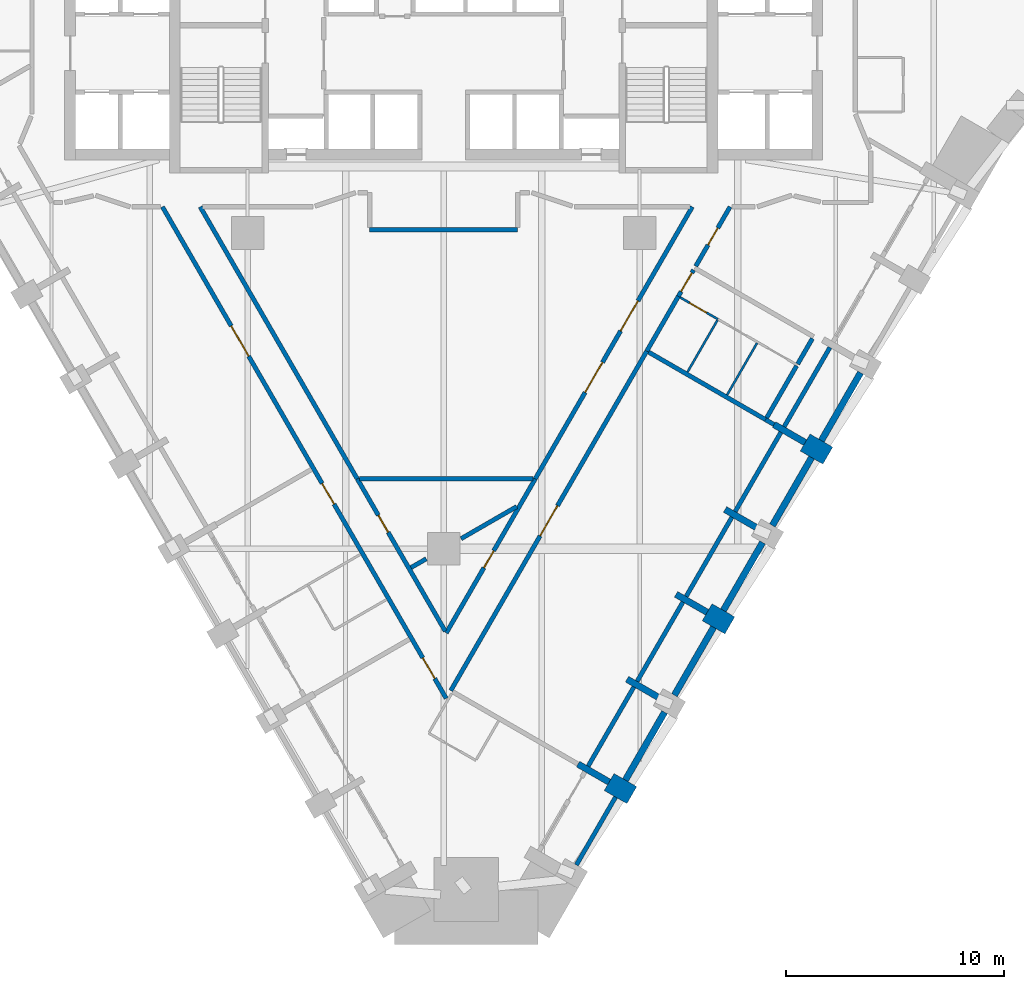
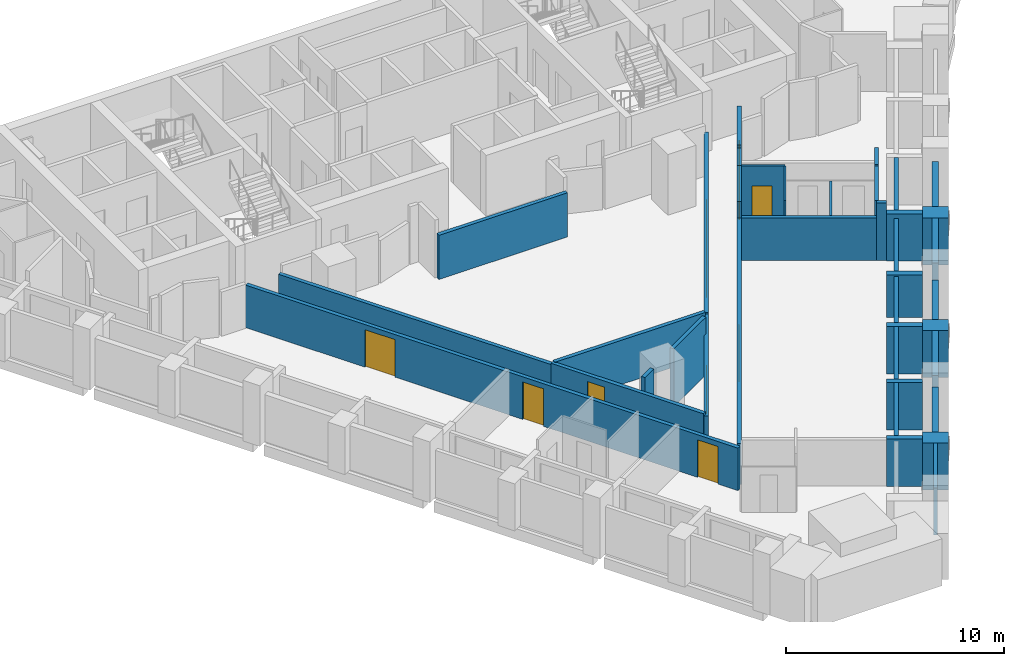
# One storey, part 4 of 10: 39 walls, 11 doors, 11 openings.
"""IFC4 building model written with IfcOpenShell, lengths in metres."""

from ifc_helpers import new_model, si_unit, direction, frame, frame_2d, origin, place, context, subcontext, project, spatial, rectangle, extrude, material, layer, layer_set, type_object, element, fill, save


model = new_model("IFC4")

# Units and contexts
model_context = context("Model", 3, precision=1e-05, world=origin(), true_north=direction((0.0, 1.0)))
body_context = subcontext(model_context, "Body", "Model", "MODEL_VIEW")
ifc_project = project(units=[si_unit("LENGTHUNIT", "METRE"), si_unit("AREAUNIT", "SQUARE_METRE"), si_unit("VOLUMEUNIT", "CUBIC_METRE"), si_unit("PLANEANGLEUNIT", "RADIAN"), si_unit("MASSUNIT", "GRAM", prefix="KILO")], contexts=[model_context])

# Site, building, storey
site_placement = place(None, origin())
site = spatial("IfcSite", under=ifc_project, at=site_placement, CompositionType="ELEMENT")
building_placement = place(site_placement, origin())
building = spatial("IfcBuilding", under=site, at=building_placement, Name="Calabash Gate Tower", CompositionType="ELEMENT")
storey_placement = place(building_placement, frame((0.0, 0.0, 108.800048828125)))
storey = spatial("IfcBuildingStorey", under=building, at=storey_placement, Name="L24", CompositionType="ELEMENT", Elevation=108.800048828125)

# Walls
ifc_material_1 = material(Name="Terracotta brick masonry, exposed face", Category="masonry")
ifc_layer_1 = layer(ifc_material_1, 1.199951171875)
ifc_layer_set_1 = layer_set([ifc_layer_1], Name="Brick end wall 1200")
wall_type_1 = type_object("IfcWallType", Name="Brick end wall 1200", PredefinedType="SOLIDWALL", material=ifc_layer_set_1)
for number, where, z_axis, x_axis, name in (
    (1, (7.59765625, -22.71240234375, 0.0), (0.0, 0.0, 1.0), (0.866043267704, -0.499969057507, 0.0), "Brick pier S06 SE2.1"),
    (2, (13.13671875, -15.51806640625, 0.0), (0.0, 0.0, 1.0), (-0.866043267704, 0.499969057507, 0.0), "Brick pier S06 SE2.3"),
):
    element("IfcWall", number, at=place(storey_placement, frame(where, z_axis=z_axis, x_axis=x_axis)), inside=storey, type_object=wall_type_1, Name=name, PredefinedType="SOLIDWALL", context=body_context, shape_type="SweptSolid", body=[
        extrude(rectangle(XDim=1.19970703125, YDim=0.89990234375, at=frame_2d((0.599853515625, 0.0))), origin(), (0.0, 0.0, 1.0), 2.6298828125),
    ])
wall_1_placement = place(storey_placement, frame((17.63671875, -7.723876953125, 0.0), z_axis=(0.0, 0.0, 1.0), x_axis=(-0.865955154139, 0.50012165622, 0.0)))
element("IfcWall", 3, at=wall_1_placement, inside=storey, type_object=wall_type_1, Name="Brick pier S06 SE2.5", PredefinedType="SOLIDWALL", context=body_context, shape_type="SweptSolid", body=[
    extrude(rectangle(XDim=1.199951171875, YDim=0.89990234375, at=frame_2d((0.60009765625, 0.0))), origin(), (0.0, 0.0, 1.0), 2.6298828125),
])
ifc_material_2 = material(Name="Terracotta brick masonry, exposed face", Category="masonry")
ifc_layer_2 = layer(ifc_material_2, 0.300048828125)
ifc_layer_set_2 = layer_set([ifc_layer_2], Name="Brick infill panel wall 300")
wall_type_2 = type_object("IfcWallType", Name="Brick infill panel wall 300", PredefinedType="SOLIDWALL", material=ifc_layer_set_2)
wall_2_placement = place(storey_placement, frame((8.342041015625, -22.62255859375, 0.0), z_axis=(0.0, 0.0, 1.0), x_axis=(0.500012057535, 0.866018442252, 0.0)))
element("IfcWall", 4, at=wall_2_placement, inside=storey, type_object=wall_type_2, Name="Brick panel S06 SE2.2", PredefinedType="SOLIDWALL", context=body_context, shape_type="SweptSolid", body=[
    extrude(rectangle(XDim=3.60009765625, YDim=0.300048828125, at=frame_2d((1.800048828125, 0.0))), origin(), (0.0, 0.0, 1.0), 2.6298828125),
])
wall_3_placement = place(storey_placement, frame((10.593017578125, -18.723876953125, 0.0), z_axis=(0.0, 0.0, 1.0), x_axis=(0.500014173611, 0.866017220491, 0.0)))
element("IfcWall", 5, at=wall_3_placement, inside=storey, type_object=wall_type_2, Name="Brick panel S06 SE2.3", PredefinedType="SOLIDWALL", context=body_context, shape_type="SweptSolid", body=[
    extrude(rectangle(XDim=3.59814453125, YDim=0.300048828125, at=frame_2d((1.799072265625, 0.0))), origin(), (0.0, 0.0, 1.0), 2.6298828125),
])
wall_4_placement = place(storey_placement, frame((12.842041015625, -14.828369140625, 0.0), z_axis=(0.0, 0.0, 1.0), x_axis=(0.500012057535, 0.866018442252, 0.0)))
element("IfcWall", 6, at=wall_4_placement, inside=storey, type_object=wall_type_2, Name="Brick panel S06 SE2.4", PredefinedType="SOLIDWALL", context=body_context, shape_type="SweptSolid", body=[
    extrude(rectangle(XDim=3.60009765625, YDim=0.300048828125, at=frame_2d((1.800048828125, 0.0))), origin(), (0.0, 0.0, 1.0), 2.302490234375),
])
for number, where, z_axis, x_axis, name in (
    (7, (15.092041015625, -10.931396484375, 0.0), (0.0, 0.0, 1.0), (0.500012057535, 0.866018442252, 0.0), "Brick panel S06 SE2.5"),
    (8, (17.342041015625, -7.0341796875, 0.0), (0.0, 0.0, 1.0), (0.500012057535, 0.866018442252, 0.0), "Brick panel S06 SE2.6"),
):
    element("IfcWall", number, at=place(storey_placement, frame(where, z_axis=z_axis, x_axis=x_axis)), inside=storey, type_object=wall_type_2, Name=name, PredefinedType="SOLIDWALL", context=body_context, shape_type="SweptSolid", body=[
        extrude(rectangle(XDim=3.60009765625, YDim=0.300048828125, at=frame_2d((1.800048828125, 0.0))), origin(), (0.0, 0.0, 1.0), 2.6298828125),
    ])
ifc_material_3 = material(Name="Terracotta brick masonry, exposed face", Category="masonry")
ifc_layer_3 = layer(ifc_material_3, 0.300048828125)
ifc_layer_set_3 = layer_set([ifc_layer_3], Name="Brick loggia cheek wall 300")
wall_type_3 = type_object("IfcWallType", Name="Brick loggia cheek wall 300", PredefinedType="SOLIDWALL", material=ifc_layer_set_3)
wall_5_placement = place(storey_placement, frame((7.59765625, -22.71240234375, 0.0), z_axis=(0.0, 0.0, 1.0), x_axis=(-0.866040211805, 0.499974350878, 0.0)))
element("IfcWall", 9, at=wall_5_placement, inside=storey, type_object=wall_type_3, Name="Loggia cheek S06 SE2.1", PredefinedType="SOLIDWALL", context=body_context, shape_type="SweptSolid", body=[
    extrude(rectangle(XDim=1.64990234375, YDim=0.300048828125, at=frame_2d((0.824951171875, 0.0))), origin(), (0.0, 0.0, 1.0), 2.64990234375),
])
wall_6_placement = place(storey_placement, frame((9.846435546875, -18.814697265625, 0.0), z_axis=(0.0, 0.0, 1.0), x_axis=(-0.865983361098, 0.500072813, 0.0)))
element("IfcWall", 10, at=wall_6_placement, inside=storey, type_object=wall_type_3, Name="Loggia cheek S06 SE2.2", PredefinedType="SOLIDWALL", context=body_context, shape_type="SweptSolid", body=[
    extrude(rectangle(XDim=1.648681640625, YDim=0.300048828125, at=frame_2d((0.82421875, 0.0))), origin(), (0.0, 0.0, 1.0), 2.64990234375),
])
wall_7_placement = place(storey_placement, frame((12.09765625, -14.918212890625, 0.0), z_axis=(0.0, 0.0, 1.0), x_axis=(-0.865976140824, 0.500085316245, 0.0)))
element("IfcWall", 11, at=wall_7_placement, inside=storey, type_object=wall_type_3, Name="Loggia cheek S06 SE2.3", PredefinedType="SOLIDWALL", context=body_context, shape_type="SweptSolid", body=[
    extrude(rectangle(XDim=1.650146484375, YDim=0.300048828125, at=frame_2d((0.8251953125, 0.0))), origin(), (0.0, 0.0, 1.0), 2.64990234375),
])
wall_8_placement = place(storey_placement, frame((14.347412109375, -11.02099609375, 0.0), z_axis=(0.0, 0.0, 1.0), x_axis=(-0.866003217194, 0.500038426333, 0.0)))
element("IfcWall", 12, at=wall_8_placement, inside=storey, type_object=wall_type_3, Name="Loggia cheek S06 SE2.4", PredefinedType="SOLIDWALL", context=body_context, shape_type="SweptSolid", body=[
    extrude(rectangle(XDim=1.649658203125, YDim=0.300048828125, at=frame_2d((0.82470703125, 0.0))), origin(), (0.0, 0.0, 1.0), 2.384033203125),
])
wall_9_placement = place(storey_placement, frame((15.168701171875, -6.298828125, 0.0), z_axis=(0.0, 0.0, 1.0), x_axis=(0.866040211805, -0.499974350878, 0.0)))
element("IfcWall", 13, at=wall_9_placement, inside=storey, type_object=wall_type_3, Name="Loggia cheek S06 SE2.5", PredefinedType="SOLIDWALL", context=body_context, shape_type="SweptSolid", body=[
    extrude(rectangle(XDim=1.64990234375, YDim=0.300048828125, at=frame_2d((0.824951171875, 0.0))), origin(), (0.0, 0.0, 1.0), 2.64990234375),
])
ifc_material_4 = material(Name="Gypsum board on steel studs, mineral wool", Category="steel")
ifc_layer_4 = layer(ifc_material_4, 0.10009765625)
ifc_layer_set_4 = layer_set([ifc_layer_4], Name="Partition 100 gypsum board")
wall_type_4 = type_object("IfcWallType", Name="Partition 100 gypsum board", PredefinedType="PARTITIONING", material=ifc_layer_set_4)
wall_10_placement = place(storey_placement, frame((13.01220703125, -4.93798828125, 0.0), z_axis=(0.0, 0.0, 1.0), x_axis=(0.499968400327, 0.866043647095, 0.0)))
element("IfcWall", 14, at=wall_10_placement, inside=storey, type_object=wall_type_4, Name="Partition", PredefinedType="PARTITIONING", context=body_context, shape_type="SweptSolid", body=[
    extrude(rectangle(XDim=2.749755859375, YDim=0.10009765625, at=frame_2d((1.375, 0.0))), origin(), (0.0, 0.0, 1.0), 2.384033203125),
])
wall_11_placement = place(storey_placement, frame((11.193359375, -3.88818359375, 0.0), z_axis=(0.0, 0.0, 1.0), x_axis=(0.499996545922, 0.866027397988, 0.0)))
element("IfcWall", 15, at=wall_11_placement, inside=storey, type_object=wall_type_4, Name="Partition", PredefinedType="PARTITIONING", context=body_context, shape_type="SweptSolid", body=[
    extrude(rectangle(XDim=2.75, YDim=0.10009765625, at=frame_2d((1.375, 0.0))), origin(), (0.0, 0.0, 1.0), 3.22998046875),
])

# Wall, opening, door
wall_12_placement = place(storey_placement, frame((10.860595703125, -0.461181640625, 0.0), z_axis=(0.0, 0.0, 1.0), x_axis=(0.865624045709, -0.500694529119, 0.0)))
wall_12 = element("IfcWall", 16, at=wall_12_placement, inside=storey, type_object=wall_type_4, Name="Partition", PredefinedType="PARTITIONING", context=body_context, shape_type="SweptSolid", body=[
    extrude(rectangle(XDim=1.999755859375, YDim=0.10009765625, at=frame_2d((1.0, 0.0))), origin(), (0.0, 0.0, 1.0), 3.22998046875),
])
opening_1_placement = place(wall_12_placement, frame((0.499755859375, 0.0, 0.0)))
opening_1 = element("IfcOpeningElement", 17, at=opening_1_placement, cuts=wall_12, Name="Opening 22-24-013", PredefinedType="OPENING", context=body_context, shape_type="SweptSolid", body=[
    extrude(rectangle(XDim=0.89990234375, YDim=2.10009765625, at=frame_2d((0.449951171875, 1.050048828125))), frame((0.0, 0.06005859375, 0.0), z_axis=(0.0, -1.0, 0.0), x_axis=(1.0, 0.0, 0.0)), (0.0, 0.0, 1.0), 0.1201171875),
])
ifc_material_5 = material(Name="Painted timber door", Category="wood")
door_type_1 = type_object("IfcDoorType", Name="WD1 WC door 900x2100", OperationType="NOTDEFINED", PredefinedType="DOOR", material=ifc_material_5)
door_1_placement = place(opening_1_placement, origin())
door_1 = element("IfcDoor", 18, at=door_1_placement, inside=storey, type_object=door_type_1, Name="WC door", OperationType="SINGLE_SWING_RIGHT", OverallHeight=2.10009765625, OverallWidth=0.89990234375, PredefinedType="DOOR", context=body_context, shape_type="SweptSolid", body=[
    extrude(rectangle(XDim=0.89990234375, YDim=2.10009765625, at=frame_2d((0.449951171875, 1.050048828125))), frame((0.0, 0.02490234375, 0.0), z_axis=(0.0, -1.0, 0.0), x_axis=(1.0, 0.0, 0.0)), (0.0, 0.0, 1.0), 0.050048828125),
])
fill(opening_1, door_1)

ifc_material_6 = material(Name="Gypsum board on steel studs, mineral wool", Category="steel")
ifc_layer_5 = layer(ifc_material_6, 0.199951171875)
ifc_layer_set_5 = layer_set([ifc_layer_5], Name="Partition 200 gypsum board EI 60")
wall_type_5 = type_object("IfcWallType", Name="Partition 200 gypsum board EI 60", PredefinedType="PARTITIONING", material=ifc_layer_set_5)
wall_13_placement = place(storey_placement, frame((0.117431640625, -15.867919921875, 0.0), z_axis=(0.0, 0.0, 1.0), x_axis=(0.500006185809, 0.866021832376, 0.0)))
wall_13 = element("IfcWall", 19, at=wall_13_placement, inside=storey, type_object=wall_type_5, Name="Partition", PredefinedType="PARTITIONING", context=body_context, shape_type="SweptSolid", body=[
    extrude(rectangle(XDim=8.16845703125, YDim=0.199951171875, at=frame_2d((4.084228515625, 0.0))), origin(), (0.0, 0.0, 1.0), 2.302490234375),
])
opening_2_placement = place(wall_13_placement, frame((3.45849609375, 0.0, 0.0)))
opening_2 = element("IfcOpeningElement", 20, at=opening_2_placement, cuts=wall_13, Name="Opening 22-24-007", PredefinedType="OPENING", context=body_context, shape_type="SweptSolid", body=[
    extrude(rectangle(XDim=0.89990234375, YDim=2.10009765625, at=frame_2d((0.449951171875, 1.050048828125))), frame((0.0, 0.10986328125, 0.0), z_axis=(0.0, -1.0, 0.0), x_axis=(1.0, 0.0, 0.0)), (0.0, 0.0, 1.0), 0.219970703125),
])
ifc_material_7 = material(Name="Steel fire door set with fire-resisting glazing", Category="steel")
door_type_2 = type_object("IfcDoorType", Name="SD3 Store door 900x2100", OperationType="NOTDEFINED", PredefinedType="DOOR", material=ifc_material_7)
door_2_placement = place(opening_2_placement, origin())
door_2 = element("IfcDoor", 21, at=door_2_placement, inside=storey, type_object=door_type_2, Name="Store door", OperationType="SINGLE_SWING_LEFT", OverallHeight=2.10009765625, OverallWidth=0.89990234375, PredefinedType="DOOR", context=body_context, shape_type="SweptSolid", body=[
    extrude(rectangle(XDim=0.89990234375, YDim=2.10009765625, at=frame_2d((0.449951171875, 1.050048828125))), frame((0.0, 0.02490234375, 0.0), z_axis=(0.0, -1.0, 0.0), x_axis=(1.0, 0.0, 0.0)), (0.0, 0.0, 1.0), 0.050048828125),
])
fill(opening_2, door_2)

# Walls
wall_14_placement = place(storey_placement, frame((-1.49951171875, -12.86376953125, 0.0), z_axis=(0.0, 0.0, 1.0), x_axis=(0.866955334919, 0.498385841749, 0.0)))
element("IfcWall", 22, at=wall_14_placement, inside=storey, type_object=wall_type_5, Name="Partition", PredefinedType="PARTITIONING", context=body_context, shape_type="SweptSolid", body=[
    extrude(rectangle(XDim=0.806884765625, YDim=0.199951171875, at=frame_2d((0.4033203125, 0.0))), origin(), (0.0, 0.0, 1.0), 3.22998046875),
])
wall_15_placement = place(storey_placement, frame((0.800048828125, -11.537841796875, 0.0), z_axis=(0.0, 0.0, 1.0), x_axis=(0.866017313224, 0.500014013, 0.0)))
element("IfcWall", 23, at=wall_15_placement, inside=storey, type_object=wall_type_5, Name="Partition", PredefinedType="PARTITIONING", context=body_context, shape_type="SweptSolid", body=[
    extrude(rectangle(XDim=2.94775390625, YDim=0.199951171875, at=frame_2d((1.473876953125, 0.0))), origin(), (0.0, 0.0, 1.0), 3.22998046875),
])

# Wall, opening, door
wall_16_placement = place(storey_placement, frame((-3.965087890625, -8.79296875, 0.0), z_axis=(0.0, 0.0, 1.0), x_axis=(0.499992237426, -0.866029885462, 0.0)))
wall_16 = element("IfcWall", 24, at=wall_16_placement, inside=storey, type_object=wall_type_5, Name="Partition", PredefinedType="PARTITIONING", context=body_context, shape_type="SweptSolid", body=[
    extrude(rectangle(XDim=8.068603515625, YDim=0.199951171875, at=frame_2d((4.0341796875, 0.0))), origin(), (0.0, 0.0, 1.0), 2.449951171875),
])
opening_3_placement = place(wall_16_placement, frame((1.92822265625, 0.0, 0.0)))
opening_3 = element("IfcOpeningElement", 25, at=opening_3_placement, cuts=wall_16, Name="Opening 22-24-008", PredefinedType="OPENING", context=body_context, shape_type="SweptSolid", body=[
    extrude(rectangle(XDim=0.89990234375, YDim=2.10009765625, at=frame_2d((0.449951171875, 1.050048828125))), frame((0.0, 0.10986328125, 0.0), z_axis=(0.0, -1.0, 0.0), x_axis=(1.0, 0.0, 0.0)), (0.0, 0.0, 1.0), 0.219970703125),
])
door_3_placement = place(opening_3_placement, origin())
door_3 = element("IfcDoor", 26, at=door_3_placement, inside=storey, type_object=door_type_2, Name="Store door", OperationType="SINGLE_SWING_LEFT", OverallHeight=2.10009765625, OverallWidth=0.89990234375, PredefinedType="DOOR", context=body_context, shape_type="SweptSolid", body=[
    extrude(rectangle(XDim=0.89990234375, YDim=2.10009765625, at=frame_2d((0.449951171875, 1.050048828125))), frame((0.0, 0.02490234375, 0.0), z_axis=(0.0, -1.0, 0.0), x_axis=(1.0, 0.0, 0.0)), (0.0, 0.0, 1.0), 0.050048828125),
])
fill(opening_3, door_3)

# Wall
wall_17_placement = place(storey_placement, frame((-3.865234375, -8.79296875, 0.0), z_axis=(0.0, 0.0, 1.0), x_axis=(1.0, 0.0, 0.0)))
element("IfcWall", 27, at=wall_17_placement, inside=storey, type_object=wall_type_5, Name="Partition", PredefinedType="PARTITIONING", context=body_context, shape_type="SweptSolid", body=[
    extrude(rectangle(XDim=7.96533203125, YDim=0.199951171875, at=frame_2d((3.982666015625, 0.0))), origin(), (0.0, 0.0, 1.0), 2.473388671875),
])

# Wall, openings, doors
wall_18_placement = place(storey_placement, frame((4.201171875, -8.791015625, 0.0), z_axis=(0.0, 0.0, 1.0), x_axis=(0.500109238176, 0.865962325907, 0.0)))
wall_18 = element("IfcWall", 28, at=wall_18_placement, inside=storey, type_object=wall_type_5, Name="Partition", PredefinedType="PARTITIONING", context=body_context, shape_type="SweptSolid", body=[
    extrude(rectangle(XDim=14.424072265625, YDim=0.199951171875, at=frame_2d((7.2119140625, 0.0))), origin(), (0.0, 0.0, 1.0), 2.384033203125),
])
opening_4_placement = place(wall_18_placement, frame((7.83935546875, 0.0, 0.0)))
opening_4 = element("IfcOpeningElement", 29, at=opening_4_placement, cuts=wall_18, Name="Opening 22-24-006", PredefinedType="OPENING", context=body_context, shape_type="SweptSolid", body=[
    extrude(rectangle(XDim=1.60009765625, YDim=2.10009765625, at=frame_2d((0.800048828125, 1.050048828125))), frame((0.0, 0.10986328125, 0.0), z_axis=(0.0, -1.0, 0.0), x_axis=(1.0, 0.0, 0.0)), (0.0, 0.0, 1.0), 0.219970703125),
])
opening_5_placement = place(wall_18_placement, frame((4.580322265625, 0.0, 0.0)))
opening_5 = element("IfcOpeningElement", 30, at=opening_5_placement, cuts=wall_18, Name="Opening 22-24-020", PredefinedType="OPENING", context=body_context, shape_type="SweptSolid", body=[
    extrude(rectangle(XDim=1.60009765625, YDim=2.10009765625, at=frame_2d((0.800048828125, 1.050048828125))), frame((0.0, 0.10986328125, 0.0), z_axis=(0.0, -1.0, 0.0), x_axis=(1.0, 0.0, 0.0)), (0.0, 0.0, 1.0), 0.219970703125),
])
ifc_material_8 = material(Name="Steel fire door set with fire-resisting glazing", Category="steel")
door_type_3 = type_object("IfcDoorType", Name="LD1 Lounge double door 1600x2100", OperationType="NOTDEFINED", PredefinedType="DOOR", material=ifc_material_8)
door_4_placement = place(opening_4_placement, origin())
door_4 = element("IfcDoor", 31, at=door_4_placement, inside=storey, type_object=door_type_3, Name="Lounge double door", OperationType="DOUBLE_DOOR_SINGLE_SWING", OverallHeight=2.10009765625, OverallWidth=1.60009765625, PredefinedType="DOOR", context=body_context, shape_type="SweptSolid", body=[
    extrude(rectangle(XDim=1.60009765625, YDim=2.10009765625, at=frame_2d((0.800048828125, 1.050048828125))), frame((0.0, 0.02490234375, 0.0), z_axis=(0.0, -1.0, 0.0), x_axis=(1.0, 0.0, 0.0)), (0.0, 0.0, 1.0), 0.050048828125),
])
fill(opening_4, door_4)
door_5_placement = place(opening_5_placement, origin())
door_5 = element("IfcDoor", 32, at=door_5_placement, inside=storey, type_object=door_type_3, Name="Lounge double door", OperationType="DOUBLE_DOOR_SINGLE_SWING", OverallHeight=2.10009765625, OverallWidth=1.60009765625, PredefinedType="DOOR", context=body_context, shape_type="SweptSolid", body=[
    extrude(rectangle(XDim=1.60009765625, YDim=2.10009765625, at=frame_2d((0.800048828125, 1.050048828125))), frame((0.0, 0.02490234375, 0.0), z_axis=(0.0, -1.0, 0.0), x_axis=(1.0, 0.0, 0.0)), (0.0, 0.0, 1.0), 0.050048828125),
])
fill(opening_5, door_5)

# Walls
wall_19_placement = place(storey_placement, frame((14.7802734375, -6.072265625, 0.0), z_axis=(0.0, 0.0, 1.0), x_axis=(0.864034851378, -0.503431997, 0.0)))
element("IfcWall", 33, at=wall_19_placement, inside=storey, type_object=wall_type_5, Name="Partition", PredefinedType="PARTITIONING", context=body_context, shape_type="SweptSolid", body=[
    extrude(rectangle(XDim=0.449462890625, YDim=0.199951171875, at=frame_2d((0.224609375, 0.0))), origin(), (0.0, 0.0, 1.0), 3.22998046875),
])
wall_20_placement = place(storey_placement, frame((14.828857421875, -5.987060546875, 0.0), z_axis=(0.0, 0.0, 1.0), x_axis=(0.499517615464, 0.866303729555, 0.0)))
element("IfcWall", 34, at=wall_20_placement, inside=storey, type_object=wall_type_5, Name="Partition", PredefinedType="PARTITIONING", context=body_context, shape_type="SweptSolid", body=[
    extrude(rectangle(XDim=2.751708984375, YDim=0.199951171875, at=frame_2d((1.3759765625, 0.0))), origin(), (0.0, 0.0, 1.0), 3.22998046875),
])
wall_21_placement = place(storey_placement, frame((16.25341796875, -3.5166015625, 0.0), z_axis=(0.0, 0.0, 1.0), x_axis=(0.500922210472, 0.865492310223, 0.0)))
element("IfcWall", 35, at=wall_21_placement, inside=storey, type_object=wall_type_5, Name="Partition", PredefinedType="PARTITIONING", context=body_context, shape_type="SweptSolid", body=[
    extrude(rectangle(XDim=1.35009765625, YDim=0.199951171875, at=frame_2d((0.675048828125, 0.0))), origin(), (0.0, 0.0, 1.0), 3.22998046875),
])
wall_22_placement = place(storey_placement, frame((9.412353515625, -2.97314453125, 0.0), z_axis=(0.0, 0.0, 1.0), x_axis=(0.866009125512, -0.500028193735, 0.0)))
element("IfcWall", 36, at=wall_22_placement, inside=storey, type_object=wall_type_5, Name="Partition", PredefinedType="PARTITIONING", context=body_context, shape_type="SweptSolid", body=[
    extrude(rectangle(XDim=6.197998046875, YDim=0.199951171875, at=frame_2d((3.09912109375, 0.0))), origin(), (0.0, 0.0, 1.0), 2.384033203125),
])

# Wall, opening, door
wall_23_placement = place(storey_placement, frame((0.32470703125, -18.513427734375, 0.0), z_axis=(0.0, 0.0, 1.0), x_axis=(0.499996012009, 0.86602770624, 0.0)))
wall_23 = element("IfcWall", 37, at=wall_23_placement, inside=storey, type_object=wall_type_5, Name="Partition", PredefinedType="PARTITIONING", context=body_context, shape_type="SweptSolid", body=[
    extrude(rectangle(XDim=18.000244140625, YDim=0.199951171875, at=frame_2d((9.0, 0.0))), origin(), (0.0, 0.0, 1.0), 2.302490234375),
])
opening_6_placement = place(wall_23_placement, frame((8.199951171875, 0.0, 0.0)))
opening_6 = element("IfcOpeningElement", 38, at=opening_6_placement, cuts=wall_23, Name="Opening 22-24-005", PredefinedType="OPENING", context=body_context, shape_type="SweptSolid", body=[
    extrude(rectangle(XDim=1.60009765625, YDim=2.10009765625, at=frame_2d((0.800048828125, 1.050048828125))), frame((0.0, 0.10986328125, 0.0), z_axis=(0.0, -1.0, 0.0), x_axis=(1.0, 0.0, 0.0)), (0.0, 0.0, 1.0), 0.219970703125),
])
door_6_placement = place(opening_6_placement, origin())
door_6 = element("IfcDoor", 39, at=door_6_placement, inside=storey, type_object=door_type_3, Name="Lounge double door", OperationType="DOUBLE_DOOR_SINGLE_SWING", OverallHeight=2.10009765625, OverallWidth=1.60009765625, PredefinedType="DOOR", context=body_context, shape_type="SweptSolid", body=[
    extrude(rectangle(XDim=1.60009765625, YDim=2.10009765625, at=frame_2d((0.800048828125, 1.050048828125))), frame((0.0, 0.02490234375, 0.0), z_axis=(0.0, -1.0, 0.0), x_axis=(1.0, 0.0, 0.0)), (0.0, 0.0, 1.0), 0.050048828125),
])
fill(opening_6, door_6)

# Wall
wall_24_placement = place(storey_placement, frame((9.32568359375, -2.923095703125, 0.0), z_axis=(0.0, 0.0, 1.0), x_axis=(0.499435738433, 0.866350935347, 0.0)))
element("IfcWall", 40, at=wall_24_placement, inside=storey, type_object=wall_type_5, Name="Partition", PredefinedType="PARTITIONING", context=body_context, shape_type="SweptSolid", body=[
    extrude(rectangle(XDim=2.899658203125, YDim=0.199951171875, at=frame_2d((1.44970703125, 0.0))), origin(), (0.0, 0.0, 1.0), 3.22998046875),
])

# Wall, opening, door
wall_25_placement = place(storey_placement, frame((10.774169921875, -0.410888671875, 0.0), z_axis=(0.0, 0.0, 1.0), x_axis=(0.500926145599, 0.865490032672, 0.0)))
wall_25 = element("IfcWall", 41, at=wall_25_placement, inside=storey, type_object=wall_type_5, Name="Partition", PredefinedType="PARTITIONING", context=body_context, shape_type="SweptSolid", body=[
    extrude(rectangle(XDim=1.398193359375, YDim=0.199951171875, at=frame_2d((0.69921875, 0.0))), origin(), (0.0, 0.0, 1.0), 3.22998046875),
])
opening_7_placement = place(wall_25_placement, frame((0.25, 0.0, 0.0)))
opening_7 = element("IfcOpeningElement", 42, at=opening_7_placement, cuts=wall_25, Name="Opening 22-24-012", PredefinedType="OPENING", context=body_context, shape_type="SweptSolid", body=[
    extrude(rectangle(XDim=1.0, YDim=2.10009765625, at=frame_2d((0.5, 1.050048828125))), frame((0.0, 0.10986328125, 0.0), z_axis=(0.0, -1.0, 0.0), x_axis=(1.0, 0.0, 0.0)), (0.0, 0.0, 1.0), 0.219970703125),
])
ifc_material_9 = material(Name="Steel fire door set with fire-resisting glazing", Category="steel")
door_type_4 = type_object("IfcDoorType", Name="WD3 WC lobby door 1000x2100", OperationType="NOTDEFINED", PredefinedType="DOOR", material=ifc_material_9)
door_7_placement = place(opening_7_placement, origin())
door_7 = element("IfcDoor", 43, at=door_7_placement, inside=storey, type_object=door_type_4, Name="WC lobby door", OperationType="SINGLE_SWING_LEFT", OverallHeight=2.10009765625, OverallWidth=1.0, PredefinedType="DOOR", context=body_context, shape_type="SweptSolid", body=[
    extrude(rectangle(XDim=1.0, YDim=2.10009765625, at=frame_2d((0.5, 1.050048828125))), frame((0.0, 0.02490234375, 0.0), z_axis=(0.0, -1.0, 0.0), x_axis=(1.0, 0.0, 0.0)), (0.0, 0.0, 1.0), 0.050048828125),
])
fill(opening_7, door_7)

wall_26_placement = place(storey_placement, frame((11.57421875, 0.97509765625, 0.0), z_axis=(0.0, 0.0, 1.0), x_axis=(0.500078475469, 0.86598009121, 0.0)))
wall_26 = element("IfcWall", 44, at=wall_26_placement, inside=storey, type_object=wall_type_5, Name="Partition", PredefinedType="PARTITIONING", context=body_context, shape_type="SweptSolid", body=[
    extrude(rectangle(XDim=3.14599609375, YDim=0.199951171875, at=frame_2d((1.572998046875, 0.0))), origin(), (0.0, 0.0, 1.0), 3.22998046875),
])
opening_8_placement = place(wall_26_placement, frame((1.122314453125, 0.0, 0.0)))
opening_8 = element("IfcOpeningElement", 45, at=opening_8_placement, cuts=wall_26, Name="Opening 22-24-018", PredefinedType="OPENING", context=body_context, shape_type="SweptSolid", body=[
    extrude(rectangle(XDim=0.89990234375, YDim=2.10009765625, at=frame_2d((0.449951171875, 1.050048828125))), frame((0.0, 0.10986328125, 0.0), z_axis=(0.0, -1.0, 0.0), x_axis=(1.0, 0.0, 0.0)), (0.0, 0.0, 1.0), 0.219970703125),
])
door_8_placement = place(opening_8_placement, origin())
door_8 = element("IfcDoor", 46, at=door_8_placement, inside=storey, type_object=door_type_2, Name="Store door", OperationType="SINGLE_SWING_RIGHT", OverallHeight=2.10009765625, OverallWidth=0.89990234375, PredefinedType="DOOR", context=body_context, shape_type="SweptSolid", body=[
    extrude(rectangle(XDim=0.89990234375, YDim=2.10009765625, at=frame_2d((0.449951171875, 1.050048828125))), frame((0.0, 0.02490234375, 0.0), z_axis=(0.0, -1.0, 0.0), x_axis=(1.0, 0.0, 0.0)), (0.0, 0.0, 1.0), 0.050048828125),
])
fill(opening_8, door_8)

# Wall
wall_27_placement = place(storey_placement, frame((-3.39990234375, 2.65234375, 0.0), z_axis=(0.0, 0.0, 1.0), x_axis=(1.0, 0.0, 0.0)))
element("IfcWall", 47, at=wall_27_placement, inside=storey, type_object=wall_type_5, Name="Partition", PredefinedType="PARTITIONING", context=body_context, shape_type="SweptSolid", body=[
    extrude(rectangle(XDim=6.7998046875, YDim=0.199951171875, at=frame_2d((3.39990234375, 0.0))), origin(), (0.0, 0.0, 1.0), 2.473388671875),
])

# Wall, openings, doors
wall_28_placement = place(storey_placement, frame((-12.91259765625, 3.699462890625, 0.0), z_axis=(0.0, 0.0, 1.0), x_axis=(0.499907630167, -0.866078726964, 0.0)))
wall_28 = element("IfcWall", 48, at=wall_28_placement, inside=storey, type_object=wall_type_5, Name="Partition", PredefinedType="PARTITIONING", context=body_context, shape_type="SweptSolid", body=[
    extrude(rectangle(XDim=26.0595703125, YDim=0.199951171875, at=frame_2d((13.02978515625, 0.0))), origin(), (0.0, 0.0, 1.0), 2.384033203125),
])
opening_9_placement = place(wall_28_placement, frame((6.311767578125, 0.0, 0.0)))
opening_9 = element("IfcOpeningElement", 49, at=opening_9_placement, cuts=wall_28, Name="Opening 22-24-001", PredefinedType="OPENING", context=body_context, shape_type="SweptSolid", body=[
    extrude(rectangle(XDim=1.60009765625, YDim=2.10009765625, at=frame_2d((0.800048828125, 1.050048828125))), frame((0.0, 0.10986328125, 0.0), z_axis=(0.0, -1.0, 0.0), x_axis=(1.0, 0.0, 0.0)), (0.0, 0.0, 1.0), 0.219970703125),
])
opening_10_placement = place(wall_28_placement, frame((14.661865234375, 0.0, 0.0)))
opening_10 = element("IfcOpeningElement", 50, at=opening_10_placement, cuts=wall_28, Name="Opening 22-24-002", PredefinedType="OPENING", context=body_context, shape_type="SweptSolid", body=[
    extrude(rectangle(XDim=1.10009765625, YDim=2.10009765625, at=frame_2d((0.550048828125, 1.050048828125))), frame((0.0, 0.10986328125, 0.0), z_axis=(0.0, -1.0, 0.0), x_axis=(1.0, 0.0, 0.0)), (0.0, 0.0, 1.0), 0.219970703125),
])
opening_11_placement = place(wall_28_placement, frame((23.910888671875, 0.0, 0.0)))
opening_11 = element("IfcOpeningElement", 51, at=opening_11_placement, cuts=wall_28, Name="Opening 22-24-019", PredefinedType="OPENING", context=body_context, shape_type="SweptSolid", body=[
    extrude(rectangle(XDim=1.10009765625, YDim=2.10009765625, at=frame_2d((0.550048828125, 1.050048828125))), frame((0.0, 0.10986328125, 0.0), z_axis=(0.0, -1.0, 0.0), x_axis=(1.0, 0.0, 0.0)), (0.0, 0.0, 1.0), 0.219970703125),
])
ifc_material_10 = material(Name="Steel fire door set with fire-resisting glazing", Category="steel")
door_type_5 = type_object("IfcDoorType", Name="GD3 Suite entrance door 1100x2100", OperationType="NOTDEFINED", PredefinedType="DOOR", material=ifc_material_10)
door_9_placement = place(opening_10_placement, origin())
door_9 = element("IfcDoor", 52, at=door_9_placement, inside=storey, type_object=door_type_5, Name="Suite entrance door", OperationType="SINGLE_SWING_RIGHT", OverallHeight=2.10009765625, OverallWidth=1.10009765625, PredefinedType="DOOR", context=body_context, shape_type="SweptSolid", body=[
    extrude(rectangle(XDim=1.10009765625, YDim=2.10009765625, at=frame_2d((0.550048828125, 1.050048828125))), frame((0.0, 0.02490234375, 0.0), z_axis=(0.0, -1.0, 0.0), x_axis=(1.0, 0.0, 0.0)), (0.0, 0.0, 1.0), 0.050048828125),
])
fill(opening_10, door_9)
door_10_placement = place(opening_11_placement, origin())
door_10 = element("IfcDoor", 53, at=door_10_placement, inside=storey, type_object=door_type_5, Name="Suite entrance door", OperationType="SINGLE_SWING_LEFT", OverallHeight=2.10009765625, OverallWidth=1.10009765625, PredefinedType="DOOR", context=body_context, shape_type="SweptSolid", body=[
    extrude(rectangle(XDim=1.10009765625, YDim=2.10009765625, at=frame_2d((0.550048828125, 1.050048828125))), frame((0.0, 0.02490234375, 0.0), z_axis=(0.0, -1.0, 0.0), x_axis=(1.0, 0.0, 0.0)), (0.0, 0.0, 1.0), 0.050048828125),
])
fill(opening_11, door_10)
door_11_placement = place(opening_9_placement, origin())
door_11 = element("IfcDoor", 54, at=door_11_placement, inside=storey, type_object=door_type_3, Name="Lounge double door", OperationType="DOUBLE_DOOR_SINGLE_SWING", OverallHeight=2.10009765625, OverallWidth=1.60009765625, PredefinedType="DOOR", context=body_context, shape_type="SweptSolid", body=[
    extrude(rectangle(XDim=1.60009765625, YDim=2.10009765625, at=frame_2d((0.800048828125, 1.050048828125))), frame((0.0, 0.02490234375, 0.0), z_axis=(0.0, -1.0, 0.0), x_axis=(1.0, 0.0, 0.0)), (0.0, 0.0, 1.0), 0.050048828125),
])
fill(opening_9, door_11)

# Walls
wall_29_placement = place(storey_placement, frame((-11.179931640625, 3.69970703125, 0.0), z_axis=(0.0, 0.0, 1.0), x_axis=(0.499994992015, -0.866028295127, 0.0)))
element("IfcWall", 55, at=wall_29_placement, inside=storey, type_object=wall_type_5, Name="Partition", PredefinedType="PARTITIONING", context=body_context, shape_type="SweptSolid", body=[
    extrude(rectangle(XDim=14.423095703125, YDim=0.199951171875, at=frame_2d((7.21142578125, 0.0))), origin(), (0.0, 0.0, 1.0), 2.384033203125),
])
ifc_material_11 = material(Name="Terracotta brick masonry, perforated", Category="masonry")
ifc_layer_6 = layer(ifc_material_11, 0.199951171875)
ifc_layer_set_6 = layer_set([ifc_layer_6], Name="Terracotta jaali screen B")
wall_type_6 = type_object("IfcWallType", Name="Terracotta jaali screen B", PredefinedType="SOLIDWALL", material=ifc_layer_set_6)
wall_30_placement = place(storey_placement, frame((6.092041015625, -26.519775390625, 0.0), z_axis=(0.0, 0.0, 1.0), x_axis=(0.500012057535, 0.866018442252, 0.0)))
element("IfcWall", 56, at=wall_30_placement, inside=storey, type_object=wall_type_6, Name="SCREEN B S06 SE2.1", PredefinedType="SOLIDWALL", context=body_context, shape_type="SweptSolid", body=[
    extrude(rectangle(XDim=3.60009765625, YDim=0.199951171875, at=frame_2d((1.800048828125, 0.0))), origin(), (0.0, 0.0, 1.0), 2.6298828125),
])
ifc_material_12 = material(Name="Aluminium framed window wall with insulated spandrel", Category="aluminium")
ifc_layer_7 = layer(ifc_material_12, 0.199951171875)
ifc_layer_set_7 = layer_set([ifc_layer_7], Name="Window wall 200")
wall_type_7 = type_object("IfcWallType", Name="Window wall 200", PredefinedType="ELEMENTEDWALL", material=ifc_layer_set_7)
wall_31_placement = place(storey_placement, frame((6.63330078125, -21.982421875, 0.0), z_axis=(0.0, 0.0, 1.0), x_axis=(0.500027713859, 0.866009402589, 0.0)))
element("IfcWall", 57, at=wall_31_placement, inside=storey, type_object=wall_type_7, Name="Window wall S06 SE2.2", PredefinedType="ELEMENTEDWALL", context=body_context, shape_type="SweptSolid", body=[
    extrude(rectangle(XDim=4.199951171875, YDim=0.199951171875, at=frame_2d((2.10009765625, 0.0))), origin(), (0.0, 0.0, 1.0), 2.64990234375),
])
wall_32_placement = place(storey_placement, frame((8.88330078125, -18.08544921875, 0.0), z_axis=(0.0, 0.0, 1.0), x_axis=(0.500002543286, 0.866023935413, 0.0)))
element("IfcWall", 58, at=wall_32_placement, inside=storey, type_object=wall_type_7, Name="Window wall S06 SE2.3", PredefinedType="ELEMENTEDWALL", context=body_context, shape_type="SweptSolid", body=[
    extrude(rectangle(XDim=4.2001953125, YDim=0.199951171875, at=frame_2d((2.10009765625, 0.0))), origin(), (0.0, 0.0, 1.0), 2.64990234375),
])
wall_33_placement = place(storey_placement, frame((11.13330078125, -14.188232421875, 0.0), z_axis=(0.0, 0.0, 1.0), x_axis=(0.500027713859, 0.866009402589, 0.0)))
element("IfcWall", 59, at=wall_33_placement, inside=storey, type_object=wall_type_7, Name="Window wall S06 SE2.4", PredefinedType="ELEMENTEDWALL", context=body_context, shape_type="SweptSolid", body=[
    extrude(rectangle(XDim=4.199951171875, YDim=0.199951171875, at=frame_2d((2.10009765625, 0.0))), origin(), (0.0, 0.0, 1.0), 2.302490234375),
])
wall_34_placement = place(storey_placement, frame((13.38330078125, -10.291015625, 0.0), z_axis=(0.0, 0.0, 1.0), x_axis=(0.500027713859, 0.866009402589, 0.0)))
element("IfcWall", 60, at=wall_34_placement, inside=storey, type_object=wall_type_7, Name="Window wall S06 SE2.5", PredefinedType="ELEMENTEDWALL", context=body_context, shape_type="SweptSolid", body=[
    extrude(rectangle(XDim=4.199951171875, YDim=0.199951171875, at=frame_2d((2.10009765625, 0.0))), origin(), (0.0, 0.0, 1.0), 2.384033203125),
])
wall_35_placement = place(storey_placement, frame((15.63330078125, -6.39404296875, 0.0), z_axis=(0.0, 0.0, 1.0), x_axis=(0.500002543286, 0.866023935413, 0.0)))
element("IfcWall", 61, at=wall_35_placement, inside=storey, type_object=wall_type_7, Name="Window wall S06 SE2.6", PredefinedType="ELEMENTEDWALL", context=body_context, shape_type="SweptSolid", body=[
    extrude(rectangle(XDim=4.2001953125, YDim=0.199951171875, at=frame_2d((2.10009765625, 0.0))), origin(), (0.0, 0.0, 1.0), 2.64990234375),
])

save(model, "model.ifc")
